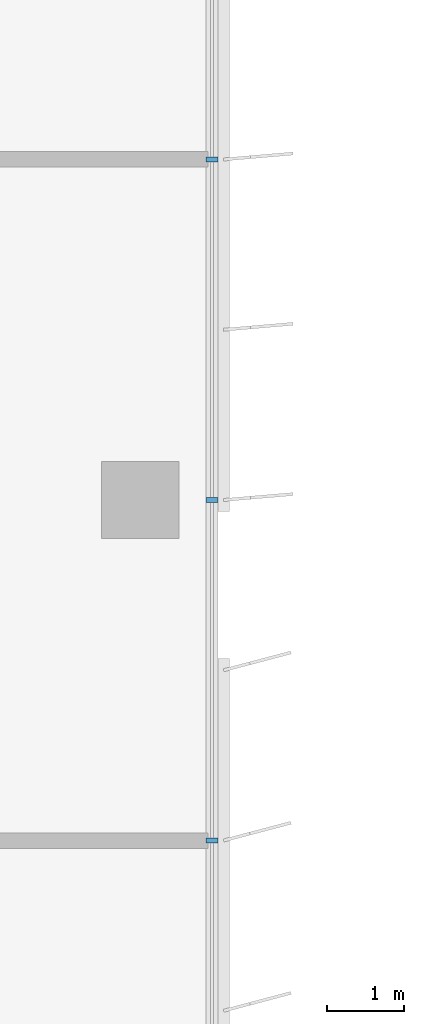
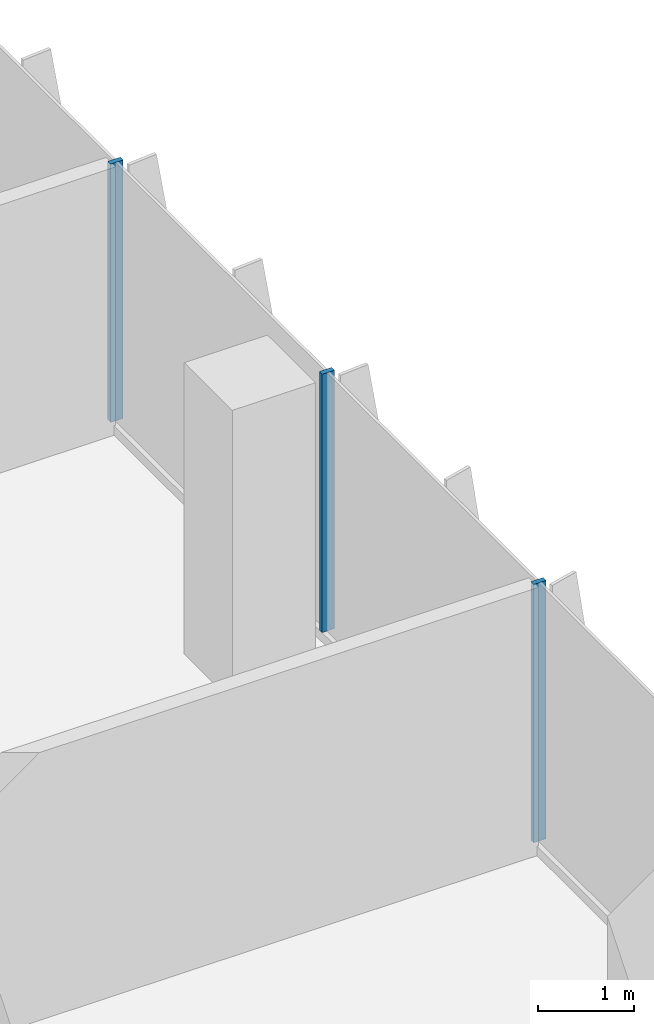
# One storey, part 5 of 21: 3 members, 1 element without a shape of its own.
"""IFC4 building model written with IfcOpenShell, lengths in metres."""

from ifc_helpers import new_model, si_unit, direction, frame, origin, origin_2d, place, context, subcontext, project, spatial, rectangle, extrude, source, transform, mapped, material, material_profile, profile_set, type_object, element, aggregate, save


model = new_model("IFC4")

# Units and contexts
model_context = context("Model", 3, precision=1e-05, world=origin(), true_north=direction((0.0, 1.0)))
body_context = subcontext(model_context, "Body", "Model", "MODEL_VIEW")
ifc_project = project(units=[si_unit("LENGTHUNIT", "METRE"), si_unit("AREAUNIT", "SQUARE_METRE"), si_unit("VOLUMEUNIT", "CUBIC_METRE"), si_unit("PLANEANGLEUNIT", "RADIAN"), si_unit("MASSUNIT", "GRAM", prefix="KILO")], contexts=[model_context])

# Site, building, storey
site_placement = place(None, origin())
site = spatial("IfcSite", under=ifc_project, at=site_placement, CompositionType="ELEMENT")
building_placement = place(site_placement, origin())
building = spatial("IfcBuilding", under=site, at=building_placement, Name="Kemantara Hotel Tower", CompositionType="ELEMENT")
storey_placement = place(building_placement, frame((0.0, 0.0, 208.0)))
storey = spatial("IfcBuildingStorey", under=building, at=storey_placement, Name="L51", CompositionType="ELEMENT", Elevation=208.0)

# Curtain wall, members
ifc_material_1 = material(Name="Low-E tinted double insulated glass 36 mm", Category="glass")
curtain_wall_type = type_object("IfcCurtainWallType", Name="TOWER CURTAIN WALL, FRONT FACES", PredefinedType="USERDEFINED", material=ifc_material_1)
curtain_wall_placement = place(storey_placement, origin())
curtain_wall = element("IfcCurtainWall", 1, at=curtain_wall_placement, inside=storey, type_object=curtain_wall_type, Name="CW4 L51 T3-R17-1", ObjectType="TOWER CURTAIN WALL, FRONT FACES", PredefinedType="USERDEFINED")
ifc_material_2 = material(Name="Aluminium 6063-T6 bronze anodised", Category="aluminium")
ifc_material_profile = material_profile(ifc_material_2, rectangle(XDim=0.14990234375, YDim=0.06005859375, at=origin_2d()), Name="TOWER CURTAIN WALL, FRONT FACES MULLION")
ifc_profile_set = profile_set([ifc_material_profile], Name="Aluminium 6063-T6 bronze anodised")
member_type = type_object("IfcMemberType", Name="TOWER CURTAIN WALL, FRONT FACES MULLION", PredefinedType="MULLION", material=ifc_profile_set)
shared_shape = source(origin(), body_context, "Body", "SweptSolid", [
    extrude(rectangle(XDim=0.14990234375, YDim=0.06005859375, at=origin_2d()), origin(), (0.0, 0.0, 1.0), 3.27978515625),
])
member_1_placement = place(storey_placement, frame((21.925048828125, 31.800048828125, 0.1201171875), z_axis=(0.0, 0.0, 1.0), x_axis=(-1.0, 0.0, 0.0)))
member_1 = element("IfcMember", 2, at=member_1_placement, type_object=member_type, Name="CW4 mullion T3-R17-1.3", PredefinedType="MULLION", context=body_context, shape_type="MappedRepresentation", body=[
    mapped(shared_shape, transform((0.0, 0.0, 0.0))),
])
member_2_placement = place(storey_placement, frame((21.925048828125, 36.199951171875, 0.1201171875), z_axis=(0.0, 0.0, 1.0), x_axis=(-1.0, 0.0, 0.0)))
member_2 = element("IfcMember", 3, at=member_2_placement, type_object=member_type, Name="CW4 mullion T3-R17-1.4", PredefinedType="MULLION", context=body_context, shape_type="MappedRepresentation", body=[
    mapped(shared_shape, transform((0.0, 0.0, 0.0))),
])
member_3_placement = place(storey_placement, frame((21.925048828125, 40.60009765625, 0.1201171875), z_axis=(0.0, 0.0, 1.0), x_axis=(-1.0, 0.0, 0.0)))
member_3 = element("IfcMember", 4, at=member_3_placement, type_object=member_type, Name="CW4 mullion T3-R17-1.5", PredefinedType="MULLION", context=body_context, shape_type="MappedRepresentation", body=[
    mapped(shared_shape, transform((0.0, 0.0, 0.0))),
])
aggregate(curtain_wall, [member_1, member_2, member_3])

save(model, "model.ifc")
